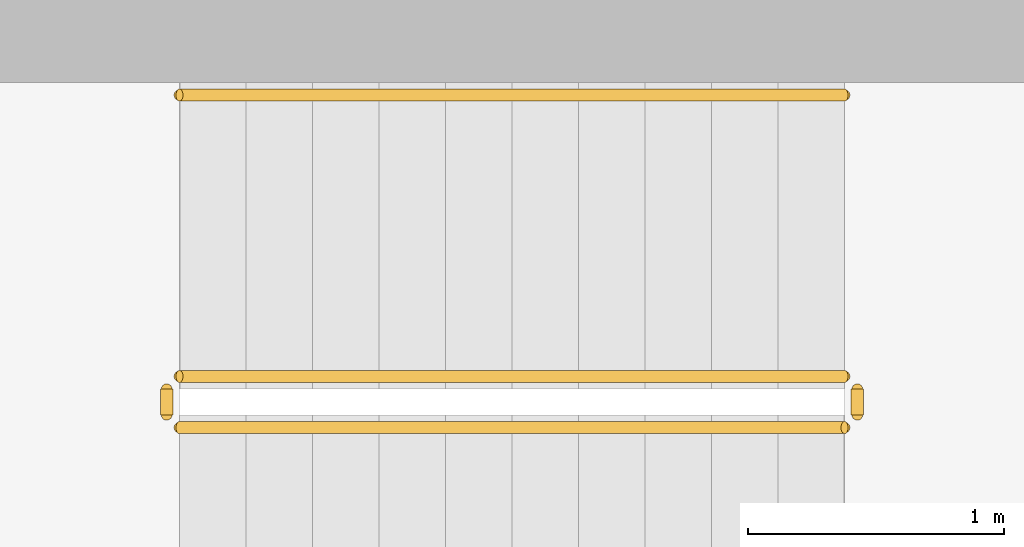
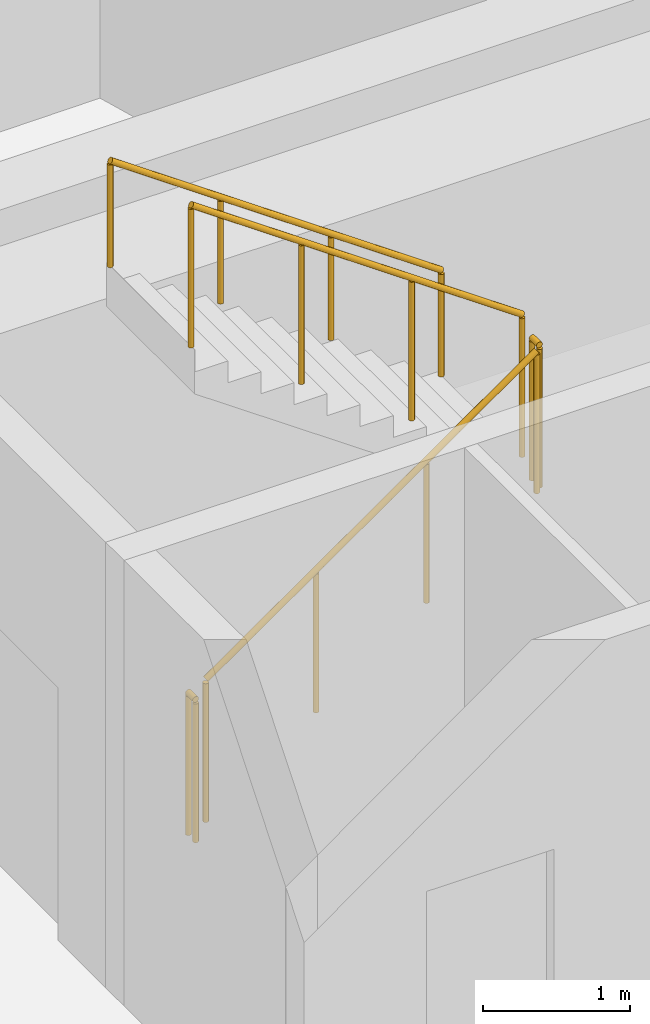
# One storey, part 18 of 21: 5 railings.
"""IFC4 building model written with IfcOpenShell, lengths in metres."""

from ifc_helpers import new_model, si_unit, direction, frame, origin, origin_2d, place, context, subcontext, project, spatial, circle, extrude, material, type_object, element, save


model = new_model("IFC4")

# Units and contexts
model_context = context("Model", 3, precision=1e-05, world=origin(), true_north=direction((0.0, 1.0)))
body_context = subcontext(model_context, "Body", "Model", "MODEL_VIEW")
ifc_project = project(units=[si_unit("LENGTHUNIT", "METRE"), si_unit("AREAUNIT", "SQUARE_METRE"), si_unit("VOLUMEUNIT", "CUBIC_METRE"), si_unit("PLANEANGLEUNIT", "RADIAN"), si_unit("MASSUNIT", "GRAM", prefix="KILO")], contexts=[model_context])

# Site, building, storey
site_placement = place(None, origin())
site = spatial("IfcSite", under=ifc_project, at=site_placement, CompositionType="ELEMENT")
building_placement = place(site_placement, origin())
building = spatial("IfcBuilding", under=site, at=building_placement, Name="Sahrelin Media Tower", CompositionType="ELEMENT")
storey_placement = place(building_placement, frame((0.0, 0.0, 193.60009765625)))
storey = spatial("IfcBuildingStorey", under=building, at=storey_placement, Name="L41", CompositionType="ELEMENT", Elevation=193.60009765625)

# Railings
ifc_material = material(Name="Steel S355", Category="steel")
railing_type_1 = type_object("IfcRailingType", Name="Stair guard 1200", PredefinedType="GUARDRAIL", material=ifc_material)
railing_1_placement = place(storey_placement, frame((-7.675048828125, 5.25, 0.181640625)))
element("IfcRailing", 1, at=railing_1_placement, inside=storey, type_object=railing_type_1, Name="L41 ST1 stair guard 1", PredefinedType="GUARDRAIL", context=body_context, shape_type="SweptSolid", body=[
    extrude(circle(Radius=0.02392578125, at=origin_2d()), frame((0.0, 0.0, 1.17578125), z_axis=(0.819484887739, 0.0, 0.573100792852), x_axis=(0.0, 1.0, 0.0)), (0.0, 0.0, 1.0), 3.1728515625),
    extrude(circle(Radius=0.02099609375, at=origin_2d()), origin(), (0.0, 0.0, 1.0), 1.15185546875),
    extrude(circle(Radius=0.02099609375, at=origin_2d()), frame((0.86669921875, 0.0, 0.606201171875)), (0.0, 0.0, 1.0), 1.15185546875),
    extrude(circle(Radius=0.02099609375, at=origin_2d()), frame((1.7333984375, 0.0, 1.212158203125)), (0.0, 0.0, 1.0), 1.15185546875),
    extrude(circle(Radius=0.02099609375, at=origin_2d()), frame((2.60009765625, 0.0, 1.818359375)), (0.0, 0.0, 1.0), 1.15185546875),
])
railing_2_placement = place(storey_placement, frame((-5.02490234375, 5.300048828125, 2.0)))
element("IfcRailing", 2, at=railing_2_placement, inside=storey, type_object=railing_type_1, Name="L41 ST1 stair guard 2", PredefinedType="GUARDRAIL", context=body_context, shape_type="SweptSolid", body=[
    extrude(circle(Radius=0.02392578125, at=origin_2d()), frame((0.0, 0.0, 1.17578125), z_axis=(0.0, 1.0, 0.0), x_axis=(-1.0, 0.0, 0.0)), (0.0, 0.0, 1.0), 0.099853515625),
    extrude(circle(Radius=0.02099609375, at=origin_2d()), origin(), (0.0, 0.0, 1.0), 1.15185546875),
    extrude(circle(Radius=0.02099609375, at=origin_2d()), frame((0.0, 0.099853515625, 0.0)), (0.0, 0.0, 1.0), 1.15185546875),
])
railing_3_placement = place(storey_placement, frame((-5.074951171875, 5.449951171875, 2.181640625)))
element("IfcRailing", 3, at=railing_3_placement, inside=storey, type_object=railing_type_1, Name="L41 ST1 stair guard 3", PredefinedType="GUARDRAIL", context=body_context, shape_type="SweptSolid", body=[
    extrude(circle(Radius=0.02392578125, at=origin_2d()), frame((0.0, 0.0, 1.17578125), z_axis=(-0.819484887739, 0.0, 0.573100792852), x_axis=(0.0, -1.0, 0.0)), (0.0, 0.0, 1.0), 3.1728515625),
    extrude(circle(Radius=0.02099609375, at=origin_2d()), origin(), (0.0, 0.0, 1.0), 1.15185546875),
    extrude(circle(Radius=0.02099609375, at=origin_2d()), frame((-0.86669921875, 0.0, 0.606201171875)), (0.0, 0.0, 1.0), 1.15185546875),
    extrude(circle(Radius=0.02099609375, at=origin_2d()), frame((-1.7333984375, 0.0, 1.212158203125)), (0.0, 0.0, 1.0), 1.15185546875),
    extrude(circle(Radius=0.02099609375, at=origin_2d()), frame((-2.60009765625, 0.0, 1.818359375)), (0.0, 0.0, 1.0), 1.15185546875),
])
railing_4_placement = place(storey_placement, frame((-7.72509765625, 5.300048828125, 0.0)))
element("IfcRailing", 4, at=railing_4_placement, inside=storey, type_object=railing_type_1, Name="L41 ST1 stair guard 4", PredefinedType="GUARDRAIL", context=body_context, shape_type="SweptSolid", body=[
    extrude(circle(Radius=0.02392578125, at=origin_2d()), frame((0.0, 0.0, 1.17578125), z_axis=(0.0, 1.0, 0.0), x_axis=(-1.0, 0.0, 0.0)), (0.0, 0.0, 1.0), 0.099853515625),
    extrude(circle(Radius=0.02099609375, at=origin_2d()), origin(), (0.0, 0.0, 1.0), 1.15185546875),
    extrude(circle(Radius=0.02099609375, at=origin_2d()), frame((0.0, 0.099853515625, 0.0)), (0.0, 0.0, 1.0), 1.15185546875),
])
railing_type_2 = type_object("IfcRailingType", Name="Stair handrail 900", PredefinedType="HANDRAIL", material=ifc_material)
railing_5_placement = place(storey_placement, frame((-5.074951171875, 6.550048828125, 2.181640625)))
element("IfcRailing", 5, at=railing_5_placement, inside=storey, type_object=railing_type_2, Name="L41 ST1 stair handrail 2", PredefinedType="HANDRAIL", context=body_context, shape_type="SweptSolid", body=[
    extrude(circle(Radius=0.02392578125, at=origin_2d()), frame((0.0, 0.0, 0.8759765625), z_axis=(-0.819484887739, 0.0, 0.573100792852), x_axis=(0.0, -1.0, 0.0)), (0.0, 0.0, 1.0), 3.1728515625),
    extrude(circle(Radius=0.02099609375, at=origin_2d()), origin(), (0.0, 0.0, 1.0), 0.851806640625),
    extrude(circle(Radius=0.02099609375, at=origin_2d()), frame((-0.86669921875, 0.0, 0.606201171875)), (0.0, 0.0, 1.0), 0.851806640625),
    extrude(circle(Radius=0.02099609375, at=origin_2d()), frame((-1.7333984375, 0.0, 1.212158203125)), (0.0, 0.0, 1.0), 0.851806640625),
    extrude(circle(Radius=0.02099609375, at=origin_2d()), frame((-2.60009765625, 0.0, 1.818359375)), (0.0, 0.0, 1.0), 0.851806640625),
])

save(model, "model.ifc")
